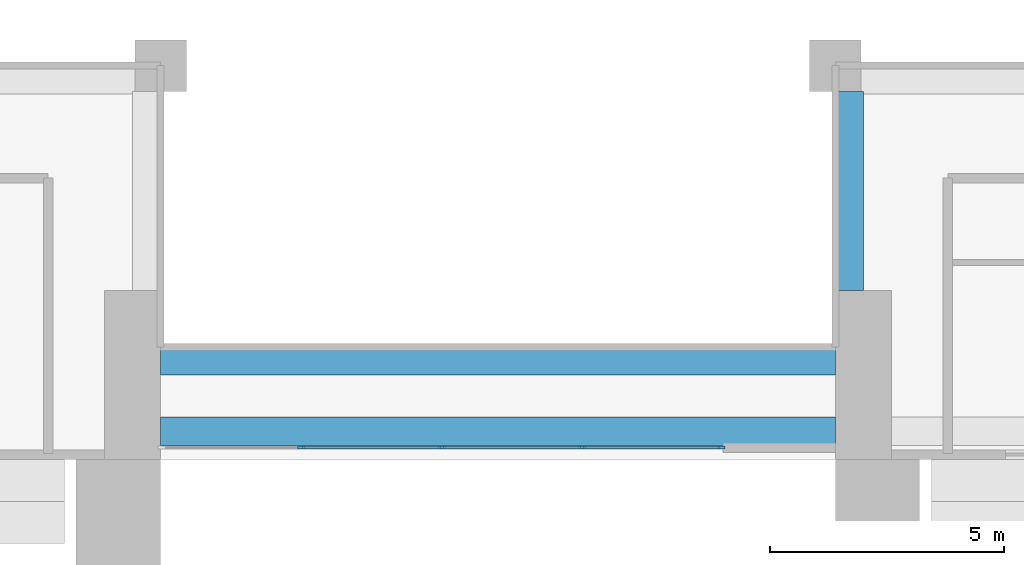
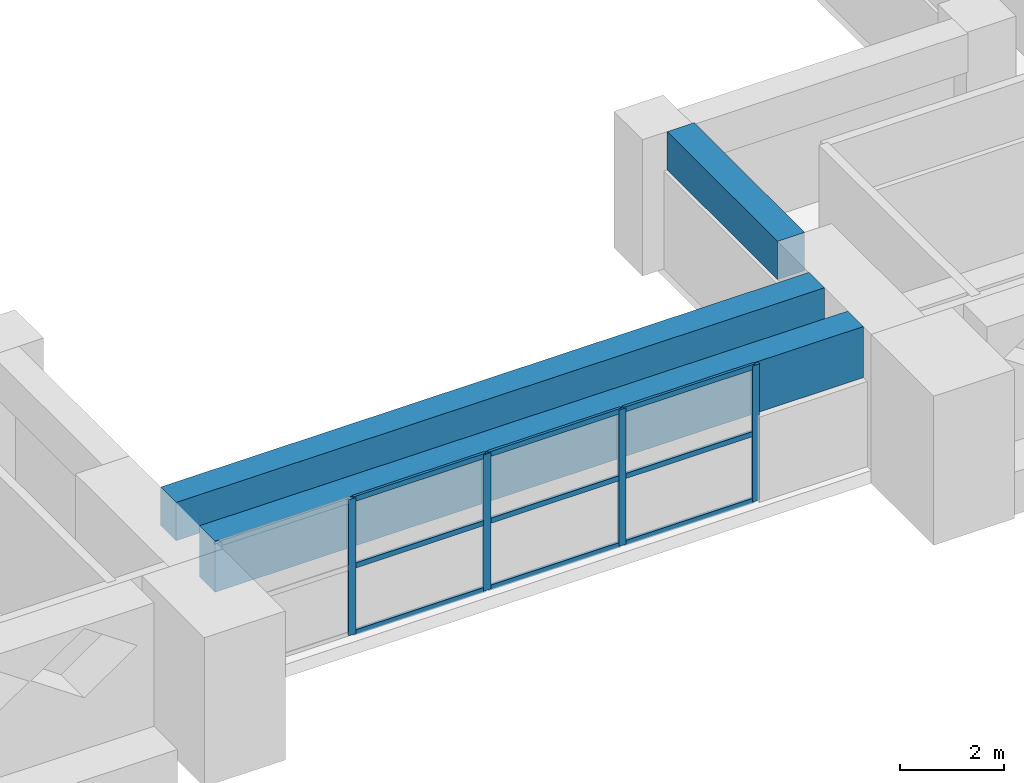
# One storey, part 4 of 19: 13 members, 3 beams, 1 element without a shape of its own.
"""IFC4 building model written with IfcOpenShell, lengths in metres."""

import ifcopenshell
import ifcopenshell.guid

model = None  # the IFC model being written
_history = None  # IfcOwnerHistory: only IFC2X3 demands one
_inside = {}  # id of a spatial element -> (the spatial element, [elements in it])
_under = {}  # id of a project, library or spatial element -> (it, [spatial elements below it])
_declared = {}  # id of a project -> (the project, [libraries it declares])
_typed = {}  # id of a type object -> (the type object, [elements of that type])
_made_of = {}  # id of a material, layer set ... -> (it, [elements and type objects made of it])


def new_model(schema):
    """Start an empty IFC model of exactly this schema.

    Asked for "IFC4X3", IfcOpenShell would pick the latest addendum, in which some entities
    have other attributes; the version numbers below select the first issue.
    IFC2X3 requires an IfcOwnerHistory on every rooted entity: one is made here for all.
    """
    global model, _history
    if schema == "IFC4X3":
        model = ifcopenshell.file(schema_version=(4, 3, 0, 0))
    else:
        model = ifcopenshell.file(schema=schema)
    _inside.clear()
    _under.clear()
    _declared.clear()
    _typed.clear()
    _made_of.clear()
    _history = None
    if model.schema == "IFC2X3":
        org = make("IfcOrganization", Name="unknown")
        user = make(
            "IfcPersonAndOrganization",
            ThePerson=make("IfcPerson", FamilyName="unknown"),
            TheOrganization=org,
        )
        app = make(
            "IfcApplication",
            ApplicationDeveloper=org,
            Version="unknown",
            ApplicationFullName="unknown",
            ApplicationIdentifier="unknown",
        )
        _history = make(
            "IfcOwnerHistory",
            OwningUser=user,
            OwningApplication=app,
            ChangeAction="ADDED",
            CreationDate=0,
        )
    return model


def make(cls, **values):
    """One entity of the class cls with the attributes given. An attribute that is None is left unset."""
    return model.create_entity(
        cls, **{name: value for name, value in values.items() if value is not None}
    )


def rooted(cls, **values):
    """An entity with a GlobalId (a new one), such as an element, a storey or a relation."""
    return make(cls, GlobalId=ifcopenshell.guid.new(), OwnerHistory=_history, **values)


def si_unit(unit_type, name, prefix=None):
    """IfcSIUnit, for example si_unit("LENGTHUNIT", "METRE", prefix="MILLI")."""
    return make("IfcSIUnit", UnitType=unit_type, Prefix=prefix, Name=name)


def assignment(units):
    """IfcUnitAssignment: the units of a project."""
    return None if units is None else make("IfcUnitAssignment", Units=units)


def point(xyz):
    """IfcCartesianPoint."""
    return None if xyz is None else make("IfcCartesianPoint", Coordinates=xyz)


def direction(xyz):
    """IfcDirection."""
    return None if xyz is None else make("IfcDirection", DirectionRatios=xyz)


def frame(location, z_axis=None, x_axis=None):
    """IfcAxis2Placement3D, a coordinate frame: its origin and axes. An axis left out is left unset."""
    return make(
        "IfcAxis2Placement3D",
        Location=point(location),
        Axis=direction(z_axis),
        RefDirection=direction(x_axis),
    )


def frame_2d(location, x_axis=None):
    """IfcAxis2Placement2D, a coordinate frame in the plane: its origin and x axis."""
    return make(
        "IfcAxis2Placement2D", Location=point(location), RefDirection=direction(x_axis)
    )


def origin():
    """The frame at (0, 0, 0) with its axes left unset."""
    return frame((0.0, 0.0, 0.0))


def origin_2d():
    """The frame at (0, 0) in the plane with its x axis left unset."""
    return frame_2d((0.0, 0.0))


def place(relative_to, where):
    """IfcLocalPlacement: puts the frame where relative to a parent placement (None: the world)."""
    return make(
        "IfcLocalPlacement", PlacementRelTo=relative_to, RelativePlacement=where
    )


def context(
    kind, dimensions, precision=None, world=None, true_north=None, identifier=None
):
    """IfcGeometricRepresentationContext, for example the 3D "Model" context."""
    return make(
        "IfcGeometricRepresentationContext",
        ContextIdentifier=identifier,
        ContextType=kind,
        CoordinateSpaceDimension=dimensions,
        Precision=precision,
        WorldCoordinateSystem=world,
        TrueNorth=true_north,
    )


def subcontext(parent, identifier, kind, view, scale=None):
    """IfcGeometricRepresentationSubContext, for example "Body" below "Model"."""
    return make(
        "IfcGeometricRepresentationSubContext",
        ContextIdentifier=identifier,
        ContextType=kind,
        ParentContext=parent,
        TargetScale=scale,
        TargetView=view,
    )


def project(units=None, contexts=None):
    """IfcProject with its units and contexts."""
    return rooted(
        "IfcProject",
        Name="project",
        RepresentationContexts=contexts,
        UnitsInContext=assignment(units),
    )


def spatial(cls, under=None, at=None, **own):
    """A site, building, storey or space (cls), placed at a placement, below another one or the project."""
    s = rooted(cls, ObjectPlacement=at, **own)
    if under is not None:
        _under.setdefault(under.id(), (under, []))[1].append(s)
    return s


def profile(cls, at=None, kind="AREA", **sizes):
    """A parametric profile (cls). Its sizes go by their IFC names, for example OverallWidth=200.0."""
    return make(cls, ProfileType=kind, Position=at, **sizes)


def rectangle(**sizes):
    """IfcRectangleProfileDef."""
    return profile("IfcRectangleProfileDef", **sizes)


def extrude(swept, where, along, depth):
    """IfcExtrudedAreaSolid: the profile swept, set in the frame where, extruded along a direction by depth."""
    return make(
        "IfcExtrudedAreaSolid",
        SweptArea=swept,
        Position=where,
        ExtrudedDirection=direction(along),
        Depth=depth,
    )


def shape(context_of_items, identifier, shape_type, items):
    """IfcShapeRepresentation: the items that make up one representation, for example the "Body"."""
    return make(
        "IfcShapeRepresentation",
        ContextOfItems=context_of_items,
        RepresentationIdentifier=identifier,
        RepresentationType=shape_type,
        Items=items,
    )


def source(mapping_origin, context_of_items, identifier, shape_type, items):
    """IfcRepresentationMap: a shape defined once, which mapped items show again and again."""
    return make(
        "IfcRepresentationMap",
        MappingOrigin=mapping_origin,
        MappedRepresentation=shape(context_of_items, identifier, shape_type, items),
    )


def transform(
    local_origin,
    x_axis=None,
    y_axis=None,
    z_axis=None,
    scale=None,
    scale2=None,
    scale3=None,
    uniform=True,
):
    """IfcCartesianTransformationOperator3D, or its non-uniform kind. x_axis, y_axis, z_axis: its Axis1, 2, 3."""
    if uniform:
        return make(
            "IfcCartesianTransformationOperator3D",
            Axis1=direction(x_axis),
            Axis2=direction(y_axis),
            LocalOrigin=point(local_origin),
            Scale=scale,
            Axis3=direction(z_axis),
        )
    return make(
        "IfcCartesianTransformationOperator3DnonUniform",
        Axis1=direction(x_axis),
        Axis2=direction(y_axis),
        LocalOrigin=point(local_origin),
        Scale=scale,
        Axis3=direction(z_axis),
        Scale2=scale2,
        Scale3=scale3,
    )


def mapped(mapping_source, mapping_target):
    """IfcMappedItem: shows the shape of a source again, moved by a transform."""
    return make(
        "IfcMappedItem", MappingSource=mapping_source, MappingTarget=mapping_target
    )


def material(Name=None, Category=None):
    """IfcMaterial."""
    return make("IfcMaterial", Name=Name, Category=Category)


def layer(
    of_material, thickness, ventilated=None, Name=None, Category=None, Priority=None
):
    """IfcMaterialLayer: one layer of a wall or slab, of a material (None: an air gap)."""
    return make(
        "IfcMaterialLayer",
        Material=of_material,
        LayerThickness=thickness,
        IsVentilated=ventilated,
        Name=Name,
        Category=Category,
        Priority=Priority,
    )


def layer_set(layers, Name=None):
    """IfcMaterialLayerSet."""
    return make("IfcMaterialLayerSet", MaterialLayers=layers, LayerSetName=Name)


def material_profile(
    of_material, cross_section, Name=None, Category=None, Priority=None
):
    """IfcMaterialProfile: a cross section and its material."""
    return make(
        "IfcMaterialProfile",
        Name=Name,
        Material=of_material,
        Profile=cross_section,
        Priority=Priority,
        Category=Category,
    )


def profile_set(profiles, Name=None, composite=None):
    """IfcMaterialProfileSet."""
    return make(
        "IfcMaterialProfileSet",
        Name=Name,
        MaterialProfiles=profiles,
        CompositeProfile=composite,
    )


def made_of(thing, what):
    """Note that an element or type object is made of a material, layer set ...; save() writes the relation."""
    if what is not None:
        _made_of.setdefault(what.id(), (what, []))[1].append(thing)
    return thing


def type_object(cls, material=None, **own):
    """A type object (cls), such as IfcWallType, which elements share."""
    return made_of(rooted(cls, **own), material)


def element(
    cls,
    number,
    at=None,
    inside=None,
    cuts=None,
    type_object=None,
    material=None,
    context=None,
    identifier="Body",
    shape_type=None,
    held_by="IfcProductDefinitionShape",
    body=None,
    shapes=None,
    **own,
):
    """One element of the class cls, such as IfcWall. Its Tag is "e" and its number.

    at: its placement. inside: the storey or other place that contains it. cuts: it is an
    opening in that element (IfcRelVoidsElement). A single representation is given by context,
    identifier, shape_type and body (its items); several are given by shapes. held_by: the class
    of the entity that holds the representations. save() writes the other relations.
    """
    e = rooted(cls, Tag="e%d" % number, ObjectPlacement=at, **own)
    if body is not None:
        shapes = [shape(context, identifier, shape_type, body)]
    if shapes is not None:
        e.Representation = make(held_by, Representations=shapes)
    if inside is not None:
        _inside.setdefault(inside.id(), (inside, []))[1].append(e)
    if cuts is not None:
        rooted(
            "IfcRelVoidsElement", RelatingBuildingElement=cuts, RelatedOpeningElement=e
        )
    if type_object is not None:
        _typed.setdefault(type_object.id(), (type_object, []))[1].append(e)
    return made_of(e, material)


def aggregate(whole, parts):
    """IfcRelAggregates: a whole, such as a stair, and the parts it consists of."""
    return rooted("IfcRelAggregates", RelatingObject=whole, RelatedObjects=parts)


def save(model, path):
    """Write the relations noted so far, then the file.

    IfcRelAggregates (storeys below a building ...), IfcRelContainedInSpatialStructure (elements
    in a storey), IfcRelDefinesByType, IfcRelAssociatesMaterial and IfcRelDeclares: one each for
    every whole, place, type object, material and project.
    """
    for whole, parts in _under.values():
        aggregate(whole, parts)
    for where, things in _inside.values():
        rooted(
            "IfcRelContainedInSpatialStructure",
            RelatedElements=things,
            RelatingStructure=where,
        )
    for kind, things in _typed.values():
        rooted("IfcRelDefinesByType", RelatedObjects=things, RelatingType=kind)
    for what, things in _made_of.values():
        rooted("IfcRelAssociatesMaterial", RelatedObjects=things, RelatingMaterial=what)
    for by, libraries in _declared.values():
        rooted("IfcRelDeclares", RelatingContext=by, RelatedDefinitions=libraries)
    model.write(path)


model = new_model("IFC4")

# Units and contexts
model_context = context("Model", 3, precision=1e-05, world=origin(), true_north=direction((0.0, 1.0)))
body_context = subcontext(model_context, "Body", "Model", "MODEL_VIEW")
ifc_project = project(units=[si_unit("LENGTHUNIT", "METRE"), si_unit("AREAUNIT", "SQUARE_METRE"), si_unit("VOLUMEUNIT", "CUBIC_METRE"), si_unit("PLANEANGLEUNIT", "RADIAN"), si_unit("MASSUNIT", "GRAM", prefix="KILO")], contexts=[model_context])

# Site, building, storey
site_placement = place(None, origin())
site = spatial("IfcSite", under=ifc_project, at=site_placement, CompositionType="ELEMENT")
building_placement = place(site_placement, origin())
building = spatial("IfcBuilding", under=site, at=building_placement, Name="Saffron Iwan Residences", CompositionType="ELEMENT")
storey_placement = place(building_placement, frame((0.0, 0.0, 120.0)))
storey = spatial("IfcBuildingStorey", under=building, at=storey_placement, Name="L31", CompositionType="ELEMENT", Elevation=120.0)

# Beams
ifc_material_1 = material(Name="Concrete C50/60", Category="concrete")
ifc_material_profile_1 = material_profile(ifc_material_1, rectangle(XDim=0.60009765625, YDim=1.199951171875, at=origin_2d()), Name="RC 600x1200")
ifc_profile_set_1 = profile_set([ifc_material_profile_1], Name="Concrete C50/60")
beam_type_1 = type_object("IfcBeamType", Name="LINTEL BEAM RC 600x1200 C50/60 TOP 3200", PredefinedType="LINTEL", material=ifc_profile_set_1)
shared_shape_1 = source(origin(), body_context, "Body", "SweptSolid", [
    extrude(rectangle(XDim=0.60009765625, YDim=1.199951171875, at=origin_2d()), origin(), (0.0, 0.0, 1.0), 14.400146484375),
])
beam_1_placement = place(storey_placement, frame((57.60009765625, 40.199951171875, 2.60009765625), z_axis=(-1.0, 0.0, 0.0), x_axis=(0.0, -1.0, 0.0)))
element("IfcBeam", 1, at=beam_1_placement, inside=storey, type_object=beam_type_1, Name="Lintel beam over the iwan", PredefinedType="LINTEL", context=body_context, shape_type="MappedRepresentation", body=[
    mapped(shared_shape_1, transform((0.0, 0.0, 0.0))),
])
ifc_material_profile_2 = material_profile(ifc_material_1, rectangle(XDim=0.60009765625, YDim=0.89990234375, at=origin_2d()), Name="RC 600x900")
ifc_profile_set_2 = profile_set([ifc_material_profile_2], Name="Concrete C50/60")
beam_type_2 = type_object("IfcBeamType", Name="BEAM RC 600x900 C50/60 TOP 3200", PredefinedType="BEAM", material=ifc_profile_set_2)
shared_shape_2 = source(origin(), body_context, "Body", "SweptSolid", [
    extrude(rectangle(XDim=0.60009765625, YDim=0.89990234375, at=origin_2d()), origin(), (0.0, 0.0, 1.0), 14.400146484375),
])
beam_2_placement = place(storey_placement, frame((57.60009765625, 41.699951171875, 2.75), z_axis=(-1.0, 0.0, 0.0), x_axis=(0.0, -1.0, 0.0)))
element("IfcBeam", 2, at=beam_2_placement, inside=storey, type_object=beam_type_2, Name="Atrium edge beam", PredefinedType="BEAM", context=body_context, shape_type="MappedRepresentation", body=[
    mapped(shared_shape_2, transform((0.0, 0.0, 0.0))),
])
shared_shape_3 = source(origin(), body_context, "Body", "SweptSolid", [
    extrude(rectangle(XDim=0.60009765625, YDim=0.89990234375, at=origin_2d()), origin(), (0.0, 0.0, 1.0), 4.25),
])
beam_3_placement = place(storey_placement, frame((57.89990234375, 47.449951171875, 2.75), z_axis=(0.0, -1.0, 0.0), x_axis=(1.0, 0.0, 0.0)))
element("IfcBeam", 3, at=beam_3_placement, inside=storey, type_object=beam_type_2, Name="Atrium edge beam", PredefinedType="BEAM", context=body_context, shape_type="MappedRepresentation", body=[
    mapped(shared_shape_3, transform((0.0, 0.0, 0.0))),
])

# Curtain wall, members
ifc_material_2 = material(Name="Clear glass, laminated double glazed", Category="glass")
ifc_layer = layer(ifc_material_2, 0.199951171875)
ifc_layer_set = layer_set([ifc_layer], Name="Clear glass, laminated double glazed")
curtain_wall_type = type_object("IfcCurtainWallType", Name="CW-B IWAN PORTAL", PredefinedType="NOTDEFINED", material=ifc_layer_set)
curtain_wall_placement = place(storey_placement, origin())
curtain_wall = element("IfcCurtainWall", 4, at=curtain_wall_placement, inside=storey, type_object=curtain_wall_type, Name="Iwan portal glazing L31.1", PredefinedType="NOTDEFINED")
ifc_material_3 = material(Name="Aluminium 6063-T6", Category="aluminium")
ifc_material_profile_3 = material_profile(ifc_material_3, rectangle(XDim=0.06005859375, YDim=0.1201171875, at=origin_2d()), Name="CW-B TRANSOM 60 x 120")
ifc_profile_set_3 = profile_set([ifc_material_profile_3], Name="Aluminium 6063-T6")
member_type_1 = type_object("IfcMemberType", Name="CW-B TRANSOM 60 x 120", PredefinedType="USERDEFINED", material=ifc_profile_set_3)
shared_shape_4 = source(origin(), body_context, "Body", "SweptSolid", [
    extrude(rectangle(XDim=0.06005859375, YDim=0.1201171875, at=origin_2d()), origin(), (0.0, 0.0, 1.0), 2.909912109375),
])
member_1_placement = place(storey_placement, frame((52.22998046875, 39.85009765625, 0.030029296875), z_axis=(1.0, 0.0, 0.0), x_axis=(0.0, 1.0, 0.0)))
member_1 = element("IfcMember", 5, at=member_1_placement, type_object=member_type_1, Name="CW-B transom 4.1", ObjectType="TRANSOM", PredefinedType="USERDEFINED", context=body_context, shape_type="MappedRepresentation", body=[
    mapped(shared_shape_4, transform((0.0, 0.0, 0.0))),
])
member_2_placement = place(storey_placement, frame((52.22998046875, 39.85009765625, 1.60009765625), z_axis=(1.0, 0.0, 0.0), x_axis=(0.0, 1.0, 0.0)))
member_2 = element("IfcMember", 6, at=member_2_placement, type_object=member_type_1, Name="CW-B transom 4.2", ObjectType="TRANSOM", PredefinedType="USERDEFINED", context=body_context, shape_type="MappedRepresentation", body=[
    mapped(shared_shape_4, transform((0.0, 0.0, 0.0))),
])
member_3_placement = place(storey_placement, frame((52.22998046875, 39.85009765625, 3.169921875), z_axis=(1.0, 0.0, 0.0), x_axis=(0.0, 1.0, 0.0)))
member_3 = element("IfcMember", 7, at=member_3_placement, type_object=member_type_1, Name="CW-B transom 4.3", ObjectType="TRANSOM", PredefinedType="USERDEFINED", context=body_context, shape_type="MappedRepresentation", body=[
    mapped(shared_shape_4, transform((0.0, 0.0, 0.0))),
])
shared_shape_5 = source(origin(), body_context, "Body", "SweptSolid", [
    extrude(rectangle(XDim=0.06005859375, YDim=0.1201171875, at=origin_2d()), origin(), (0.0, 0.0, 1.0), 2.93994140625),
])
member_4_placement = place(storey_placement, frame((46.22998046875, 39.85009765625, 0.030029296875), z_axis=(1.0, 0.0, 0.0), x_axis=(0.0, 1.0, 0.0)))
member_4 = element("IfcMember", 8, at=member_4_placement, type_object=member_type_1, Name="CW-B transom 2.1", ObjectType="TRANSOM", PredefinedType="USERDEFINED", context=body_context, shape_type="MappedRepresentation", body=[
    mapped(shared_shape_5, transform((0.0, 0.0, 0.0))),
])
member_5_placement = place(storey_placement, frame((46.22998046875, 39.85009765625, 1.60009765625), z_axis=(1.0, 0.0, 0.0), x_axis=(0.0, 1.0, 0.0)))
member_5 = element("IfcMember", 9, at=member_5_placement, type_object=member_type_1, Name="CW-B transom 2.2", ObjectType="TRANSOM", PredefinedType="USERDEFINED", context=body_context, shape_type="MappedRepresentation", body=[
    mapped(shared_shape_5, transform((0.0, 0.0, 0.0))),
])
member_6_placement = place(storey_placement, frame((46.22998046875, 39.85009765625, 3.169921875), z_axis=(1.0, 0.0, 0.0), x_axis=(0.0, 1.0, 0.0)))
member_6 = element("IfcMember", 10, at=member_6_placement, type_object=member_type_1, Name="CW-B transom 2.3", ObjectType="TRANSOM", PredefinedType="USERDEFINED", context=body_context, shape_type="MappedRepresentation", body=[
    mapped(shared_shape_5, transform((0.0, 0.0, 0.0))),
])
member_7_placement = place(storey_placement, frame((49.22998046875, 39.85009765625, 0.030029296875), z_axis=(1.0, 0.0, 0.0), x_axis=(0.0, 1.0, 0.0)))
member_7 = element("IfcMember", 11, at=member_7_placement, type_object=member_type_1, Name="CW-B transom 3.1", ObjectType="TRANSOM", PredefinedType="USERDEFINED", context=body_context, shape_type="MappedRepresentation", body=[
    mapped(shared_shape_5, transform((0.0, 0.0, 0.0))),
])
member_8_placement = place(storey_placement, frame((49.22998046875, 39.85009765625, 1.60009765625), z_axis=(1.0, 0.0, 0.0), x_axis=(0.0, 1.0, 0.0)))
member_8 = element("IfcMember", 12, at=member_8_placement, type_object=member_type_1, Name="CW-B transom 3.2", ObjectType="TRANSOM", PredefinedType="USERDEFINED", context=body_context, shape_type="MappedRepresentation", body=[
    mapped(shared_shape_5, transform((0.0, 0.0, 0.0))),
])
member_9_placement = place(storey_placement, frame((49.22998046875, 39.85009765625, 3.169921875), z_axis=(1.0, 0.0, 0.0), x_axis=(0.0, 1.0, 0.0)))
member_9 = element("IfcMember", 13, at=member_9_placement, type_object=member_type_1, Name="CW-B transom 3.3", ObjectType="TRANSOM", PredefinedType="USERDEFINED", context=body_context, shape_type="MappedRepresentation", body=[
    mapped(shared_shape_5, transform((0.0, 0.0, 0.0))),
])
ifc_material_profile_4 = material_profile(ifc_material_3, rectangle(XDim=0.06005859375, YDim=0.159912109375, at=origin_2d()), Name="CW-B MULLION 60 x 160")
ifc_profile_set_4 = profile_set([ifc_material_profile_4], Name="Aluminium 6063-T6")
member_type_2 = type_object("IfcMemberType", Name="CW-B MULLION 60 x 160", PredefinedType="MULLION", material=ifc_profile_set_4)
shared_shape_6 = source(origin(), body_context, "Body", "SweptSolid", [
    extrude(rectangle(XDim=0.06005859375, YDim=0.159912109375, at=origin_2d()), origin(), (0.0, 0.0, 1.0), 3.199951171875),
])
member_10_placement = place(storey_placement, frame((46.199951171875, 39.85009765625, 0.0), z_axis=(0.0, 0.0, 1.0), x_axis=(0.0, 1.0, 0.0)))
member_10 = element("IfcMember", 14, at=member_10_placement, type_object=member_type_2, Name="CW-B mullion 2", PredefinedType="MULLION", context=body_context, shape_type="MappedRepresentation", body=[
    mapped(shared_shape_6, transform((0.0, 0.0, 0.0))),
])
member_11_placement = place(storey_placement, frame((49.199951171875, 39.85009765625, 0.0), z_axis=(0.0, 0.0, 1.0), x_axis=(0.0, 1.0, 0.0)))
member_11 = element("IfcMember", 15, at=member_11_placement, type_object=member_type_2, Name="CW-B mullion 3", PredefinedType="MULLION", context=body_context, shape_type="MappedRepresentation", body=[
    mapped(shared_shape_6, transform((0.0, 0.0, 0.0))),
])
member_12_placement = place(storey_placement, frame((52.199951171875, 39.85009765625, 0.0), z_axis=(0.0, 0.0, 1.0), x_axis=(0.0, 1.0, 0.0)))
member_12 = element("IfcMember", 16, at=member_12_placement, type_object=member_type_2, Name="CW-B mullion 4", PredefinedType="MULLION", context=body_context, shape_type="MappedRepresentation", body=[
    mapped(shared_shape_6, transform((0.0, 0.0, 0.0))),
])
member_13_placement = place(storey_placement, frame((55.169921875, 39.85009765625, 0.0), z_axis=(0.0, 0.0, 1.0), x_axis=(0.0, 1.0, 0.0)))
member_13 = element("IfcMember", 17, at=member_13_placement, type_object=member_type_2, Name="CW-B mullion 5", PredefinedType="MULLION", context=body_context, shape_type="MappedRepresentation", body=[
    mapped(shared_shape_6, transform((0.0, 0.0, 0.0))),
])
aggregate(curtain_wall, [member_10, member_11, member_12, member_13, member_4, member_5, member_6, member_7, member_8, member_9, member_1, member_2, member_3])

save(model, "model.ifc")
